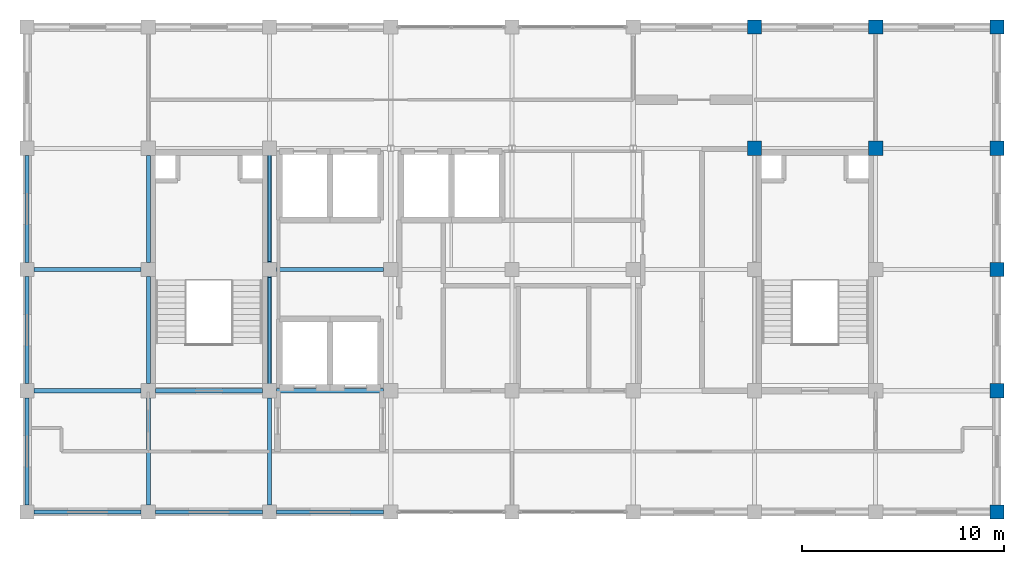
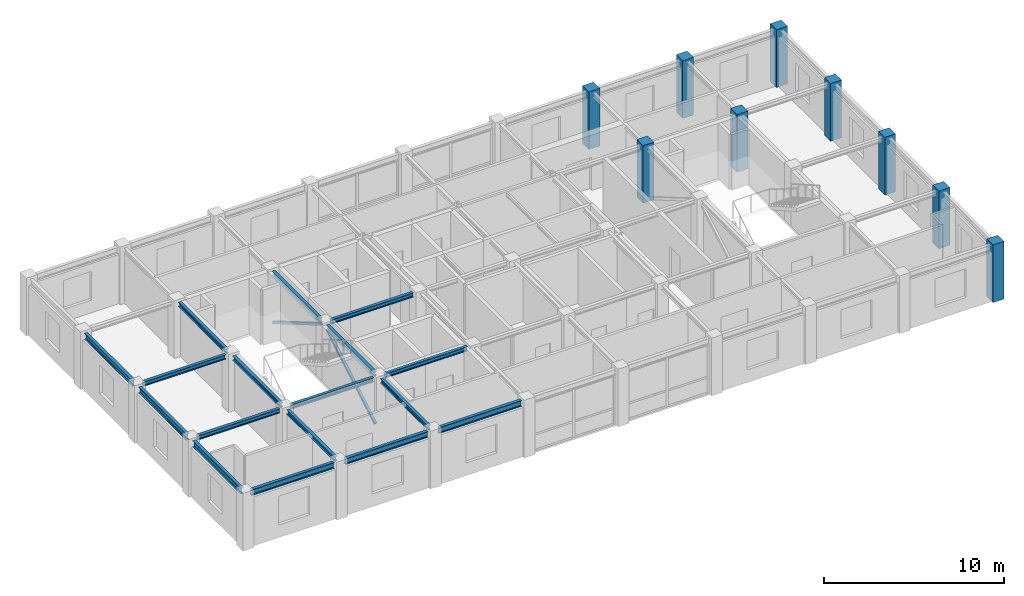
# One storey, part 3 of 11: 17 beams, 9 columns, 2 members.
"""IFC4 building model written with IfcOpenShell, lengths in metres."""

from ifc_helpers import new_model, si_unit, direction, frame, origin, origin_2d, place, context, subcontext, project, spatial, rectangle, hollow_rectangle, i_section, extrude, material, material_profile, profile_set, type_object, element, save


model = new_model("IFC4")

# Units and contexts
model_context = context("Model", 3, precision=1e-05, world=origin(), true_north=direction((0.0, 1.0)))
body_context = subcontext(model_context, "Body", "Model", "MODEL_VIEW")
ifc_project = project(units=[si_unit("LENGTHUNIT", "METRE"), si_unit("AREAUNIT", "SQUARE_METRE"), si_unit("VOLUMEUNIT", "CUBIC_METRE"), si_unit("PLANEANGLEUNIT", "RADIAN"), si_unit("MASSUNIT", "GRAM", prefix="KILO")], contexts=[model_context])

# Site, building, storey
site_placement = place(None, origin())
site = spatial("IfcSite", under=ifc_project, at=site_placement, CompositionType="ELEMENT")
building_placement = place(site_placement, origin())
building = spatial("IfcBuilding", under=site, at=building_placement, Name="Zlatovratsky Civic Hall", CompositionType="ELEMENT")
storey_placement = place(building_placement, frame((0.0, 0.0, 56.10009765625)))
storey = spatial("IfcBuildingStorey", under=building, at=storey_placement, Name="L14", CompositionType="ELEMENT", Elevation=56.10009765625)

# Columns
ifc_material_1 = material(Name="Concrete C35/45 (B40)", Category="concrete")
ifc_material_profile_1 = material_profile(ifc_material_1, rectangle(XDim=0.699951171875, YDim=0.699951171875, at=origin_2d()), Name="RC 700x700")
ifc_profile_set_1 = profile_set([ifc_material_profile_1], Name="Concrete C35/45 (B40)")
column_type = type_object("IfcColumnType", Name="Col_CorePier_RC700", PredefinedType="COLUMN", material=ifc_profile_set_1)
for number, where, z_axis, x_axis, name in (
    (1, (108.0, 78.0, 0.0), (0.0, 0.0, 1.0), (1.0, 0.0, 0.0), "CL-2518"),
    (2, (108.0, 84.0, 0.0), (0.0, 0.0, 1.0), (1.0, 0.0, 0.0), "CL-2527"),
    (3, (108.0, 90.0, 0.0), (0.0, 0.0, 1.0), (1.0, 0.0, 0.0), "CL-2536"),
    (4, (96.0, 96.0, 0.0), (0.0, 0.0, 1.0), (1.0, 0.0, 0.0), "CL-2543"),
    (5, (102.0, 96.0, 0.0), (0.0, 0.0, 1.0), (1.0, 0.0, 0.0), "CL-2544"),
    (6, (108.0, 96.0, 0.0), (0.0, 0.0, 1.0), (1.0, 0.0, 0.0), "CL-2545"),
    (7, (96.0, 102.0, 0.0), (0.0, 0.0, 1.0), (1.0, 0.0, 0.0), "CL-2552"),
    (8, (102.0, 102.0, 0.0), (0.0, 0.0, 1.0), (1.0, 0.0, 0.0), "CL-2553"),
    (9, (108.0, 102.0, 0.0), (0.0, 0.0, 1.0), (1.0, 0.0, 0.0), "CL-2554"),
):
    element("IfcColumn", number, at=place(storey_placement, frame(where, z_axis=z_axis, x_axis=x_axis)), inside=storey, type_object=column_type, Name=name, PredefinedType="COLUMN", context=body_context, shape_type="SweptSolid", body=[
        extrude(rectangle(XDim=0.699951171875, YDim=0.699951171875, at=origin_2d()), origin(), (0.0, 0.0, 1.0), 3.89990234375),
    ])

# Beams
ifc_material_2 = material(Name="Steel S355", Category="steel")
ifc_material_profile_2 = material_profile(ifc_material_2, i_section(OverallWidth=0.199951171875, OverallDepth=0.39990234375, WebThickness=0.008056640625, FlangeThickness=0.012939453125, FilletRadius=0.014892578125, at=origin_2d()), Name="40B2")
ifc_profile_set_2 = profile_set([ifc_material_profile_2], Name="Steel S355")
beam_type_1 = type_object("IfcBeamType", Name="Beam_Spandrel_40B2", PredefinedType="SPANDREL", material=ifc_profile_set_2)
for number, where, z_axis, x_axis, name in (
    (10, (60.35009765625, 78.0, 3.539794921875), (1.0, 0.0, 0.0), (0.0, 1.0, 0.0), "BM-4965"),
    (11, (66.35009765625, 78.0, 3.539794921875), (1.0, 0.0, 0.0), (0.0, 1.0, 0.0), "BM-4966"),
    (12, (72.35009765625, 78.0, 3.539794921875), (1.0, 0.0, 0.0), (0.0, 1.0, 0.0), "BM-4967"),
    (13, (60.0, 78.35009765625, 3.539794921875), (0.0, 1.0, 0.0), (-1.0, 0.0, 0.0), "BM-5003"),
    (14, (60.0, 84.35009765625, 3.539794921875), (0.0, 1.0, 0.0), (-1.0, 0.0, 0.0), "BM-5004"),
    (15, (60.0, 90.35009765625, 3.539794921875), (0.0, 1.0, 0.0), (-1.0, 0.0, 0.0), "BM-5005"),
):
    element("IfcBeam", number, at=place(storey_placement, frame(where, z_axis=z_axis, x_axis=x_axis)), inside=storey, type_object=beam_type_1, Name=name, PredefinedType="SPANDREL", context=body_context, shape_type="SweptSolid", body=[
        extrude(i_section(OverallWidth=0.199951171875, OverallDepth=0.39990234375, WebThickness=0.008056640625, FlangeThickness=0.012939453125, FilletRadius=0.014892578125, at=origin_2d()), origin(), (0.0, 0.0, 1.0), 5.2998046875),
    ])
ifc_material_profile_3 = material_profile(ifc_material_2, i_section(OverallWidth=0.199951171875, OverallDepth=0.291015625, WebThickness=0.008056640625, FlangeThickness=0.010986328125, FilletRadius=0.01806640625, at=origin_2d()), Name="30Sh1")
ifc_profile_set_3 = profile_set([ifc_material_profile_3], Name="Steel S355")
beam_type_2 = type_object("IfcBeamType", Name="Beam_TowerHigh_30Sh1", PredefinedType="BEAM", material=ifc_profile_set_3)
for number, where, z_axis, x_axis, name in (
    (16, (60.35009765625, 84.0, 3.594482421875), (1.0, 0.0, 0.0), (0.0, 1.0, 0.0), "BM-4973"),
    (17, (66.35009765625, 84.0, 3.594482421875), (1.0, 0.0, 0.0), (0.0, 1.0, 0.0), "BM-4974"),
    (18, (72.35009765625, 84.0, 3.594482421875), (1.0, 0.0, 0.0), (0.0, 1.0, 0.0), "BM-4975"),
    (19, (60.35009765625, 90.0, 3.594482421875), (1.0, 0.0, 0.0), (0.0, 1.0, 0.0), "BM-4981"),
    (20, (72.35009765625, 90.0, 3.594482421875), (1.0, 0.0, 0.0), (0.0, 1.0, 0.0), "BM-4982"),
    (21, (66.0, 78.35009765625, 3.594482421875), (0.0, 1.0, 0.0), (-1.0, 0.0, 0.0), "BM-5007"),
    (22, (66.0, 84.35009765625, 3.594482421875), (0.0, 1.0, 0.0), (-1.0, 0.0, 0.0), "BM-5008"),
    (23, (66.0, 90.35009765625, 3.594482421875), (0.0, 1.0, 0.0), (-1.0, 0.0, 0.0), "BM-5009"),
    (24, (72.0, 78.35009765625, 3.594482421875), (0.0, 1.0, 0.0), (-1.0, 0.0, 0.0), "BM-5011"),
    (25, (72.0, 84.35009765625, 3.594482421875), (0.0, 1.0, 0.0), (-1.0, 0.0, 0.0), "BM-5012"),
    (26, (72.0, 90.35009765625, 3.594482421875), (0.0, 1.0, 0.0), (-1.0, 0.0, 0.0), "BM-5013"),
):
    element("IfcBeam", number, at=place(storey_placement, frame(where, z_axis=z_axis, x_axis=x_axis)), inside=storey, type_object=beam_type_2, Name=name, PredefinedType="BEAM", context=body_context, shape_type="SweptSolid", body=[
        extrude(i_section(OverallWidth=0.199951171875, OverallDepth=0.291015625, WebThickness=0.008056640625, FlangeThickness=0.010986328125, FilletRadius=0.01806640625, at=origin_2d()), origin(), (0.0, 0.0, 1.0), 5.2998046875),
    ])

# Members
ifc_material_profile_4 = material_profile(ifc_material_2, hollow_rectangle(XDim=0.159912109375, YDim=0.159912109375, WallThickness=0.008056640625, at=origin_2d()), Name="SHS 160x160x8")
ifc_profile_set_4 = profile_set([ifc_material_profile_4], Name="Steel S355")
member_type = type_object("IfcMemberType", Name="Brace_TowerHigh_SHS160", PredefinedType="BRACE", material=ifc_profile_set_4)
for number, where, z_axis, x_axis, name in (
    (27, (72.0, 84.35009765625, 0.25), (0.0, 0.863189891905, 0.504879401949), (-1.0, 0.0, 0.0), "MB-0160"),
    (28, (72.0, 90.35009765625, 3.349853515625), (0.0, 0.863189891905, -0.504879401949), (-1.0, 0.0, 0.0), "MB-0161"),
):
    element("IfcMember", number, at=place(storey_placement, frame(where, z_axis=z_axis, x_axis=x_axis)), inside=storey, type_object=member_type, Name=name, PredefinedType="BRACE", context=body_context, shape_type="SweptSolid", body=[
        extrude(hollow_rectangle(XDim=0.159912109375, YDim=0.159912109375, WallThickness=0.008056640625, at=origin_2d()), origin(), (0.0, 0.0, 1.0), 6.139892578125),
    ])

save(model, "model.ifc")
